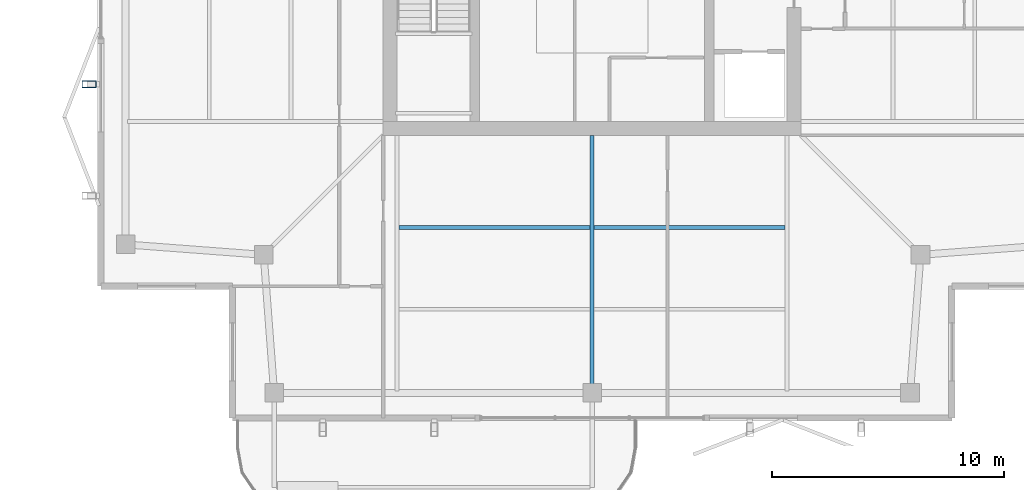
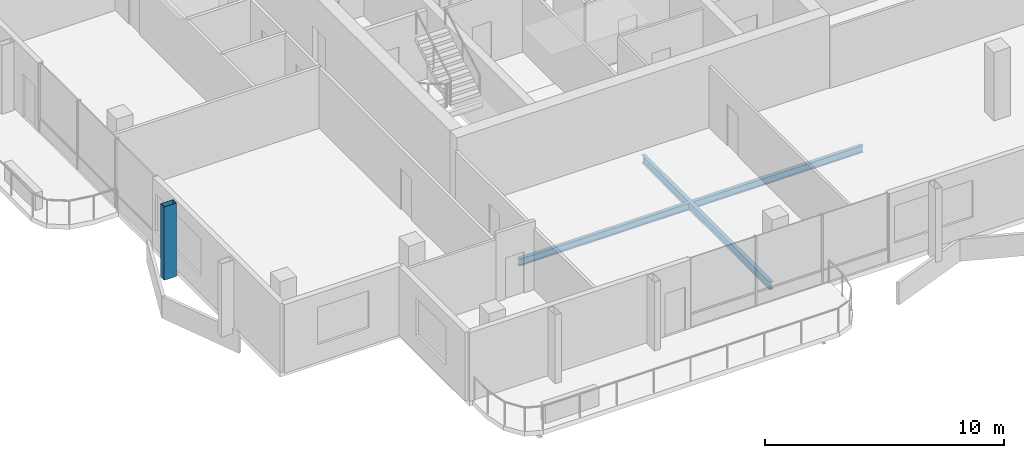
# One storey, part 5 of 22: 3 beams, 1 member.
"""IFC4 building model written with IfcOpenShell, lengths in metres."""

from ifc_helpers import new_model, si_unit, direction, frame, origin, origin_2d, place, context, subcontext, project, spatial, hollow_rectangle, i_section, extrude, material, material_profile, profile_set, type_object, element, save


model = new_model("IFC4")

# Units and contexts
model_context = context("Model", 3, precision=1e-05, world=origin(), true_north=direction((0.0, 1.0)))
body_context = subcontext(model_context, "Body", "Model", "MODEL_VIEW")
ifc_project = project(units=[si_unit("LENGTHUNIT", "METRE"), si_unit("AREAUNIT", "SQUARE_METRE"), si_unit("VOLUMEUNIT", "CUBIC_METRE"), si_unit("PLANEANGLEUNIT", "RADIAN"), si_unit("MASSUNIT", "GRAM", prefix="KILO")], contexts=[model_context])

# Site, building, storey
site_placement = place(None, origin())
site = spatial("IfcSite", under=ifc_project, at=site_placement, CompositionType="ELEMENT")
building_placement = place(site_placement, origin())
building = spatial("IfcBuilding", under=site, at=building_placement, Name="Belovzor Exchange Tower", CompositionType="ELEMENT")
storey_placement = place(building_placement, frame((0.0, 0.0, 348.0)))
storey = spatial("IfcBuildingStorey", under=building, at=storey_placement, Name="L87", CompositionType="ELEMENT", Elevation=348.0)

# Beams
ifc_material_1 = material(Name="Steel S355", Category="steel")
ifc_material_profile_1 = material_profile(ifc_material_1, i_section(OverallWidth=0.169921875, OverallDepth=0.360107421875, WebThickness=0.008056640625, FlangeThickness=0.0126953125, at=origin_2d()))
ifc_profile_set_1 = profile_set([ifc_material_profile_1], Name="Steel S355")
beam_type_1 = type_object("IfcBeamType", Name="Secondary Infill Floor Joist IPE 360", PredefinedType="BEAM", material=ifc_profile_set_1)
beam_1_placement = place(storey_placement, frame((20.489990234375, 15.8310546875, -0.419921875), z_axis=(1.0, 0.0, 0.0), x_axis=(0.0, 1.0, 0.0)))
element("IfcBeam", 1, at=beam_1_placement, inside=storey, type_object=beam_type_1, Name="FJ-360 Secondary Infill Floor Joist IPE 360", PredefinedType="BEAM", context=body_context, shape_type="SweptSolid", body=[
    extrude(i_section(OverallWidth=0.169921875, OverallDepth=0.360107421875, WebThickness=0.008056640625, FlangeThickness=0.0126953125, at=origin_2d()), origin(), (0.0, 0.0, 1.0), 8.219970703125),
])
beam_2_placement = place(storey_placement, frame((28.889892578125, 15.8310546875, -0.419921875), z_axis=(1.0, 0.0, 0.0), x_axis=(0.0, 1.0, 0.0)))
element("IfcBeam", 2, at=beam_2_placement, inside=storey, type_object=beam_type_1, Name="FJ-360 Secondary Infill Floor Joist IPE 360", PredefinedType="BEAM", context=body_context, shape_type="SweptSolid", body=[
    extrude(i_section(OverallWidth=0.169921875, OverallDepth=0.360107421875, WebThickness=0.008056640625, FlangeThickness=0.0126953125, at=origin_2d()), origin(), (0.0, 0.0, 1.0), 8.22021484375),
])

# Member
ifc_material_2 = material(Name="Extruded Architectural Terracotta on Steel S355 Carrier", Category="masonry")
ifc_material_profile_2 = material_profile(ifc_material_2, hollow_rectangle(XDim=0.300048828125, YDim=0.60009765625, WallThickness=0.01611328125, at=origin_2d()))
ifc_profile_set_2 = profile_set([ifc_material_profile_2], Name="Extruded Architectural Terracotta on Steel S355 Carrier")
member_type = type_object("IfcMemberType", Name="Upper Crown Terracotta Fin Assembly 550", PredefinedType="USERDEFINED", material=ifc_profile_set_2)
member_placement = place(storey_placement, frame((7.125, 22.0, -0.239990234375), z_axis=(0.0, 0.0, 1.0), x_axis=(0.0, 1.0, 0.0)))
element("IfcMember", 3, at=member_placement, inside=storey, type_object=member_type, Name="FIN-TC055 Terracotta Facade Fin L87 W2", ObjectType="FIN", PredefinedType="USERDEFINED", context=body_context, shape_type="SweptSolid", body=[
    extrude(hollow_rectangle(XDim=0.300048828125, YDim=0.60009765625, WallThickness=0.01611328125, at=origin_2d()), origin(), (0.0, 0.0, 1.0), 3.75),
])

# Beam
ifc_material_3 = material(Name="Steel S355", Category="steel")
ifc_material_profile_3 = material_profile(ifc_material_3, i_section(OverallWidth=0.179931640625, OverallDepth=0.39990234375, WebThickness=0.008544921875, FlangeThickness=0.013427734375, at=origin_2d()))
ifc_profile_set_3 = profile_set([ifc_material_profile_3], Name="Steel S355")
beam_type_2 = type_object("IfcBeamType", Name="Zone 5-6 Radial Composite Floor Beam IPE 400", PredefinedType="BEAM", material=ifc_profile_set_3)
beam_3_placement = place(storey_placement, frame((28.800048828125, 19.800048828125, -0.43994140625), z_axis=(0.0, -1.0, 0.0), x_axis=(1.0, 0.0, 0.0)))
element("IfcBeam", 4, at=beam_3_placement, inside=storey, type_object=beam_type_2, Name="FB-400 Zone 5-6 Radial Composite Floor Beam IPE 400", PredefinedType="BEAM", context=body_context, shape_type="SweptSolid", body=[
    extrude(i_section(OverallWidth=0.179931640625, OverallDepth=0.39990234375, WebThickness=0.008544921875, FlangeThickness=0.013427734375, at=origin_2d()), origin(), (0.0, 0.0, 1.0), 10.748046875),
])

save(model, "model.ifc")
